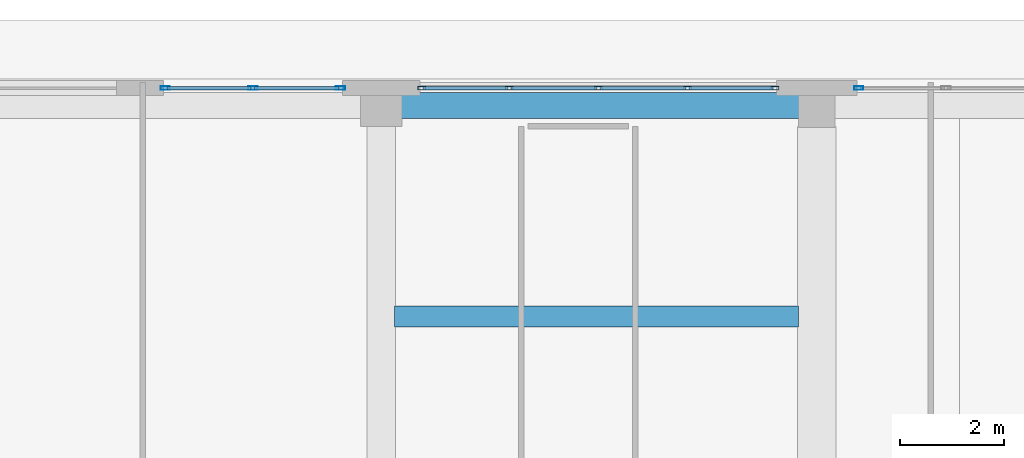
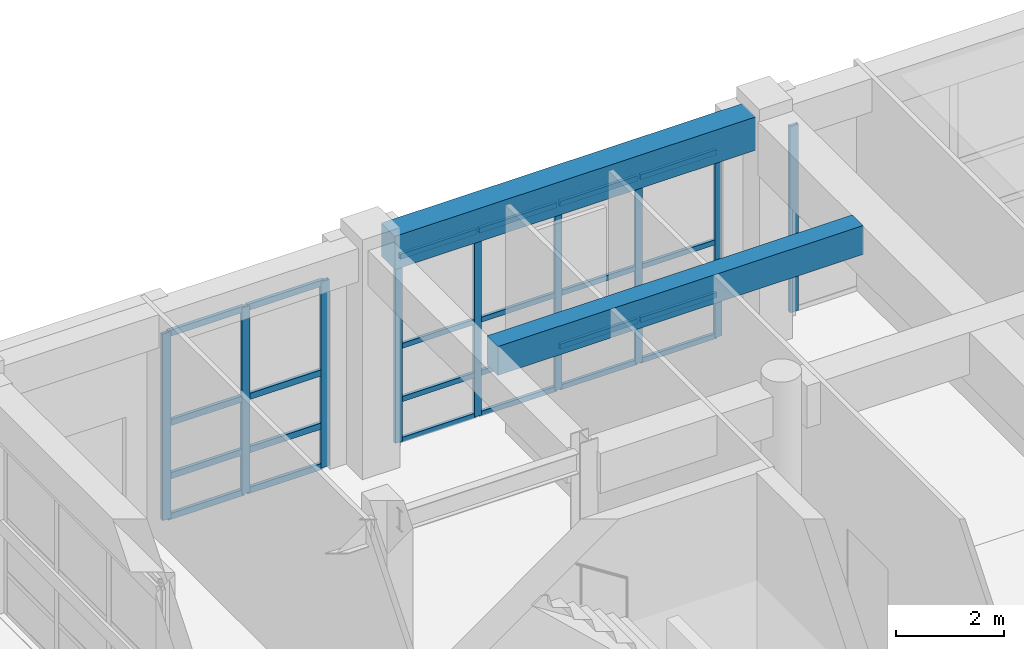
# One storey, part 93 of 148: 33 members, 2 beams, 3 elements without a shape of their own.
"""IFC4 building model written with IfcOpenShell, lengths in metres."""

from ifc_helpers import new_model, si_unit, direction, frame, origin, origin_2d, place, context, subcontext, project, spatial, rectangle, hollow_rectangle, extrude, material, layer, layer_set, material_profile, profile_set, type_object, element, aggregate, save


model = new_model("IFC4")

# Units and contexts
model_context = context("Model", 3, precision=1e-05, world=origin(), true_north=direction((0.0, 1.0)))
body_context = subcontext(model_context, "Body", "Model", "MODEL_VIEW")
ifc_project = project(units=[si_unit("LENGTHUNIT", "METRE"), si_unit("AREAUNIT", "SQUARE_METRE"), si_unit("VOLUMEUNIT", "CUBIC_METRE"), si_unit("PLANEANGLEUNIT", "RADIAN"), si_unit("MASSUNIT", "GRAM", prefix="KILO")], contexts=[model_context])

# Site, building, storey
site_placement = place(None, origin())
site = spatial("IfcSite", under=ifc_project, at=site_placement, CompositionType="ELEMENT")
building_placement = place(site_placement, origin())
building = spatial("IfcBuilding", under=site, at=building_placement, Name="Quendrovan Civic Courthouse", CompositionType="ELEMENT")
storey_placement = place(building_placement, origin())
storey = spatial("IfcBuildingStorey", under=building, at=storey_placement, Name="L01", CompositionType="ELEMENT", Elevation=0.0)

# Beams
ifc_material_1 = material(Name="Concrete C40/50", Category="concrete")
ifc_material_profile_1 = material_profile(ifc_material_1, rectangle(XDim=0.39990234375, YDim=0.64990234375, at=origin_2d()), Name="RC-BM-400x650")
ifc_profile_set_1 = profile_set([ifc_material_profile_1], Name="Concrete C40/50")
beam_type_1 = type_object("IfcBeamType", Name="BM-RC650", PredefinedType="JOIST", material=ifc_profile_set_1)
beam_1_placement = place(storey_placement, frame((117.85498046875, 105.83056640625, 4.794921875), z_axis=(1.0, 0.0, 0.0), x_axis=(0.0, 1.0, 0.0)))
element("IfcBeam", 1, at=beam_1_placement, inside=storey, type_object=beam_type_1, Name="L01 Secondary Joist 0479", PredefinedType="JOIST", context=body_context, shape_type="SweptSolid", body=[
    extrude(rectangle(XDim=0.39990234375, YDim=0.64990234375, at=origin_2d()), origin(), (0.0, 0.0, 1.0), 7.7900390625),
])
ifc_material_profile_2 = material_profile(ifc_material_1, rectangle(XDim=0.5, YDim=0.75, at=origin_2d()), Name="RC-BM-500x750")
ifc_profile_set_2 = profile_set([ifc_material_profile_2], Name="Concrete C40/50")
beam_type_2 = type_object("IfcBeamType", Name="BM-RC750", PredefinedType="SPANDREL", material=ifc_profile_set_2)
beam_2_placement = place(storey_placement, frame((117.97998046875, 109.89990234375, 4.7451171875), z_axis=(1.0, 0.0, 0.0), x_axis=(0.0, 1.0, 0.0)))
element("IfcBeam", 2, at=beam_2_placement, inside=storey, type_object=beam_type_2, Name="L01 Girder X0365", PredefinedType="SPANDREL", context=body_context, shape_type="SweptSolid", body=[
    extrude(rectangle(XDim=0.5, YDim=0.75, at=origin_2d()), origin(), (0.0, 0.0, 1.0), 7.68994140625),
])

# Curtain wall, members
ifc_material_2 = material(Name="Bronze anodised aluminium and low-E glass", Category="aluminium")
ifc_layer_1 = layer(ifc_material_2, 0.179931640625, Name="Bronze anodised aluminium and low-E glass")
ifc_layer_set_1 = layer_set([ifc_layer_1], Name="Bronze anodised aluminium and low-E glass")
curtain_wall_type_1 = type_object("IfcCurtainWallType", Name="CW-U34x42", PredefinedType="USERDEFINED", material=ifc_layer_set_1)
curtain_wall_1_placement = place(storey_placement, origin())
curtain_wall_1 = element("IfcCurtainWall", 3, at=curtain_wall_1_placement, inside=storey, type_object=curtain_wall_type_1, Name="L01 Unitised Hurricane Curtain Wall CW-036", ObjectType="UNITISED CURTAIN WALL", PredefinedType="USERDEFINED")
ifc_material_3 = material(Name="Bronze anodised aluminium", Category="aluminium")
ifc_material_profile_3 = material_profile(ifc_material_3, hollow_rectangle(XDim=0.070068359375, YDim=0.179931640625, WallThickness=0.00390625, at=origin_2d()), Name="CW-MULL-70x180")
ifc_profile_set_3 = profile_set([ifc_material_profile_3], Name="Bronze anodised aluminium")
member_type_1 = type_object("IfcMemberType", Name="CW-MULL-A", PredefinedType="MULLION", material=ifc_profile_set_3)
member_1_placement = place(storey_placement, frame((113.43505859375, 110.235107421875, 0.0), z_axis=(0.0, 0.0, 1.0), x_axis=(0.0, 1.0, 0.0)))
member_1 = element("IfcMember", 4, at=member_1_placement, type_object=member_type_1, Name="CW-036 mullion 1", PredefinedType="MULLION", context=body_context, shape_type="SweptSolid", body=[
    extrude(hollow_rectangle(XDim=0.070068359375, YDim=0.179931640625, WallThickness=0.00390625, at=origin_2d()), origin(), (0.0, 0.0, 1.0), 4.199951171875),
])
member_2_placement = place(storey_placement, frame((115.125, 110.235107421875, 0.0), z_axis=(0.0, 0.0, 1.0), x_axis=(0.0, 1.0, 0.0)))
member_2 = element("IfcMember", 5, at=member_2_placement, type_object=member_type_1, Name="CW-036 mullion 2", PredefinedType="MULLION", context=body_context, shape_type="SweptSolid", body=[
    extrude(hollow_rectangle(XDim=0.070068359375, YDim=0.179931640625, WallThickness=0.00390625, at=origin_2d()), origin(), (0.0, 0.0, 1.0), 4.199951171875),
])
member_3_placement = place(storey_placement, frame((116.81494140625, 110.235107421875, 0.0), z_axis=(0.0, 0.0, 1.0), x_axis=(0.0, 1.0, 0.0)))
member_3 = element("IfcMember", 6, at=member_3_placement, type_object=member_type_1, Name="CW-036 mullion 3", PredefinedType="MULLION", context=body_context, shape_type="SweptSolid", body=[
    extrude(hollow_rectangle(XDim=0.070068359375, YDim=0.179931640625, WallThickness=0.00390625, at=origin_2d()), origin(), (0.0, 0.0, 1.0), 4.199951171875),
])

# Curtain wall, member
ifc_layer_2 = layer(ifc_material_2, 0.179931640625, Name="Bronze anodised aluminium and low-E glass")
ifc_layer_set_2 = layer_set([ifc_layer_2], Name="Bronze anodised aluminium and low-E glass")
curtain_wall_type_2 = type_object("IfcCurtainWallType", Name="CW-U69x42", PredefinedType="USERDEFINED", material=ifc_layer_set_2)
curtain_wall_2_placement = place(storey_placement, origin())
curtain_wall_2 = element("IfcCurtainWall", 7, at=curtain_wall_2_placement, inside=storey, type_object=curtain_wall_type_2, Name="L01 Unitised Hurricane Curtain Wall CW-038", ObjectType="UNITISED CURTAIN WALL", PredefinedType="USERDEFINED")
member_4_placement = place(storey_placement, frame((126.81005859375, 110.235107421875, 0.0), z_axis=(0.0, 0.0, 1.0), x_axis=(0.0, 1.0, 0.0)))
member_4 = element("IfcMember", 8, at=member_4_placement, type_object=member_type_1, Name="CW-038 mullion 1", PredefinedType="MULLION", context=body_context, shape_type="SweptSolid", body=[
    extrude(hollow_rectangle(XDim=0.070068359375, YDim=0.179931640625, WallThickness=0.00390625, at=origin_2d()), origin(), (0.0, 0.0, 1.0), 4.199951171875),
])
aggregate(curtain_wall_2, [member_4])

# Curtain wall, members
curtain_wall_3_placement = place(storey_placement, origin())
curtain_wall_3 = element("IfcCurtainWall", 9, at=curtain_wall_3_placement, inside=storey, type_object=curtain_wall_type_2, Name="L01 Unitised Hurricane Curtain Wall CW-037", ObjectType="UNITISED CURTAIN WALL", PredefinedType="USERDEFINED")
ifc_material_profile_4 = material_profile(ifc_material_3, hollow_rectangle(XDim=0.06494140625, YDim=0.14990234375, WallThickness=0.00390625, at=origin_2d()), Name="CW-MULL-65x150")
ifc_profile_set_4 = profile_set([ifc_material_profile_4], Name="Bronze anodised aluminium")
member_type_2 = type_object("IfcMemberType", Name="CW-MULL-B", PredefinedType="MULLION", material=ifc_profile_set_4)
member_5_placement = place(storey_placement, frame((118.382568359375, 110.235107421875, 0.0), z_axis=(0.0, 0.0, 1.0), x_axis=(0.0, 1.0, 0.0)))
member_5 = element("IfcMember", 10, at=member_5_placement, type_object=member_type_2, Name="CW-037 mullion 1", PredefinedType="MULLION", context=body_context, shape_type="SweptSolid", body=[
    extrude(hollow_rectangle(XDim=0.06494140625, YDim=0.14990234375, WallThickness=0.00390625, at=origin_2d()), origin(), (0.0, 0.0, 1.0), 4.199951171875),
])
member_6_placement = place(storey_placement, frame((120.06884765625, 110.235107421875, 0.0), z_axis=(0.0, 0.0, 1.0), x_axis=(0.0, 1.0, 0.0)))
member_6 = element("IfcMember", 11, at=member_6_placement, type_object=member_type_2, Name="CW-037 mullion 2", PredefinedType="MULLION", context=body_context, shape_type="SweptSolid", body=[
    extrude(hollow_rectangle(XDim=0.06494140625, YDim=0.14990234375, WallThickness=0.00390625, at=origin_2d()), origin(), (0.0, 0.0, 1.0), 4.199951171875),
])
member_7_placement = place(storey_placement, frame((121.78759765625, 110.235107421875, 0.0), z_axis=(0.0, 0.0, 1.0), x_axis=(0.0, 1.0, 0.0)))
member_7 = element("IfcMember", 12, at=member_7_placement, type_object=member_type_2, Name="CW-037 mullion 3", PredefinedType="MULLION", context=body_context, shape_type="SweptSolid", body=[
    extrude(hollow_rectangle(XDim=0.06494140625, YDim=0.14990234375, WallThickness=0.00390625, at=origin_2d()), origin(), (0.0, 0.0, 1.0), 4.199951171875),
])
member_8_placement = place(storey_placement, frame((123.50634765625, 110.235107421875, 0.0), z_axis=(0.0, 0.0, 1.0), x_axis=(0.0, 1.0, 0.0)))
member_8 = element("IfcMember", 13, at=member_8_placement, type_object=member_type_2, Name="CW-037 mullion 4", PredefinedType="MULLION", context=body_context, shape_type="SweptSolid", body=[
    extrude(hollow_rectangle(XDim=0.06494140625, YDim=0.14990234375, WallThickness=0.00390625, at=origin_2d()), origin(), (0.0, 0.0, 1.0), 4.199951171875),
])
member_9_placement = place(storey_placement, frame((125.1923828125, 110.235107421875, 0.0), z_axis=(0.0, 0.0, 1.0), x_axis=(0.0, 1.0, 0.0)))
member_9 = element("IfcMember", 14, at=member_9_placement, type_object=member_type_2, Name="CW-037 mullion 5", PredefinedType="MULLION", context=body_context, shape_type="SweptSolid", body=[
    extrude(hollow_rectangle(XDim=0.06494140625, YDim=0.14990234375, WallThickness=0.00390625, at=origin_2d()), origin(), (0.0, 0.0, 1.0), 4.199951171875),
])

# Member
ifc_material_profile_5 = material_profile(ifc_material_3, hollow_rectangle(XDim=0.070068359375, YDim=0.139892578125, WallThickness=0.00390625, at=origin_2d()), Name="CW-TRAN-70x140")
ifc_profile_set_5 = profile_set([ifc_material_profile_5], Name="Bronze anodised aluminium")
member_type_3 = type_object("IfcMemberType", Name="CW-TRAN-A", PredefinedType="USERDEFINED", material=ifc_profile_set_5)
member_10_placement = place(storey_placement, frame((113.469970703125, 110.235107421875, 0.034912109375), z_axis=(1.0, 0.0, 0.0), x_axis=(0.0, 1.0, 0.0)))
member_10 = element("IfcMember", 15, at=member_10_placement, type_object=member_type_3, Name="CW-036 transom 1.1", ObjectType="TRANSOM", PredefinedType="USERDEFINED", context=body_context, shape_type="SweptSolid", body=[
    extrude(hollow_rectangle(XDim=0.070068359375, YDim=0.139892578125, WallThickness=0.00390625, at=origin_2d()), origin(), (0.0, 0.0, 1.0), 1.6201171875),
])

member_11_placement = place(storey_placement, frame((113.469970703125, 110.235107421875, 0.949951171875), z_axis=(1.0, 0.0, 0.0), x_axis=(0.0, 1.0, 0.0)))
member_11 = element("IfcMember", 16, at=member_11_placement, type_object=member_type_3, Name="CW-036 transom 1.2", ObjectType="TRANSOM", PredefinedType="USERDEFINED", context=body_context, shape_type="SweptSolid", body=[
    extrude(hollow_rectangle(XDim=0.070068359375, YDim=0.139892578125, WallThickness=0.00390625, at=origin_2d()), origin(), (0.0, 0.0, 1.0), 1.6201171875),
])

member_12_placement = place(storey_placement, frame((113.469970703125, 110.235107421875, 2.14990234375), z_axis=(1.0, 0.0, 0.0), x_axis=(0.0, 1.0, 0.0)))
member_12 = element("IfcMember", 17, at=member_12_placement, type_object=member_type_3, Name="CW-036 transom 1.3", ObjectType="TRANSOM", PredefinedType="USERDEFINED", context=body_context, shape_type="SweptSolid", body=[
    extrude(hollow_rectangle(XDim=0.070068359375, YDim=0.139892578125, WallThickness=0.00390625, at=origin_2d()), origin(), (0.0, 0.0, 1.0), 1.6201171875),
])

member_13_placement = place(storey_placement, frame((113.469970703125, 110.235107421875, 4.1650390625), z_axis=(1.0, 0.0, 0.0), x_axis=(0.0, 1.0, 0.0)))
member_13 = element("IfcMember", 18, at=member_13_placement, type_object=member_type_3, Name="CW-036 transom 1.4", ObjectType="TRANSOM", PredefinedType="USERDEFINED", context=body_context, shape_type="SweptSolid", body=[
    extrude(hollow_rectangle(XDim=0.070068359375, YDim=0.139892578125, WallThickness=0.00390625, at=origin_2d()), origin(), (0.0, 0.0, 1.0), 1.6201171875),
])

member_14_placement = place(storey_placement, frame((115.159912109375, 110.235107421875, 0.034912109375), z_axis=(1.0, 0.0, 0.0), x_axis=(0.0, 1.0, 0.0)))
member_14 = element("IfcMember", 19, at=member_14_placement, type_object=member_type_3, Name="CW-036 transom 2.1", ObjectType="TRANSOM", PredefinedType="USERDEFINED", context=body_context, shape_type="SweptSolid", body=[
    extrude(hollow_rectangle(XDim=0.070068359375, YDim=0.139892578125, WallThickness=0.00390625, at=origin_2d()), origin(), (0.0, 0.0, 1.0), 1.6201171875),
])

member_15_placement = place(storey_placement, frame((115.159912109375, 110.235107421875, 0.949951171875), z_axis=(1.0, 0.0, 0.0), x_axis=(0.0, 1.0, 0.0)))
member_15 = element("IfcMember", 20, at=member_15_placement, type_object=member_type_3, Name="CW-036 transom 2.2", ObjectType="TRANSOM", PredefinedType="USERDEFINED", context=body_context, shape_type="SweptSolid", body=[
    extrude(hollow_rectangle(XDim=0.070068359375, YDim=0.139892578125, WallThickness=0.00390625, at=origin_2d()), origin(), (0.0, 0.0, 1.0), 1.6201171875),
])

member_16_placement = place(storey_placement, frame((115.159912109375, 110.235107421875, 2.14990234375), z_axis=(1.0, 0.0, 0.0), x_axis=(0.0, 1.0, 0.0)))
member_16 = element("IfcMember", 21, at=member_16_placement, type_object=member_type_3, Name="CW-036 transom 2.3", ObjectType="TRANSOM", PredefinedType="USERDEFINED", context=body_context, shape_type="SweptSolid", body=[
    extrude(hollow_rectangle(XDim=0.070068359375, YDim=0.139892578125, WallThickness=0.00390625, at=origin_2d()), origin(), (0.0, 0.0, 1.0), 1.6201171875),
])

member_17_placement = place(storey_placement, frame((115.159912109375, 110.235107421875, 4.1650390625), z_axis=(1.0, 0.0, 0.0), x_axis=(0.0, 1.0, 0.0)))
member_17 = element("IfcMember", 22, at=member_17_placement, type_object=member_type_3, Name="CW-036 transom 2.4", ObjectType="TRANSOM", PredefinedType="USERDEFINED", context=body_context, shape_type="SweptSolid", body=[
    extrude(hollow_rectangle(XDim=0.070068359375, YDim=0.139892578125, WallThickness=0.00390625, at=origin_2d()), origin(), (0.0, 0.0, 1.0), 1.6201171875),
])

aggregate(curtain_wall_1, [member_1, member_2, member_3, member_10, member_11, member_12, member_13, member_14, member_15, member_16, member_17])

ifc_material_profile_6 = material_profile(ifc_material_3, hollow_rectangle(XDim=0.06494140625, YDim=0.114990234375, WallThickness=0.00390625, at=origin_2d()), Name="CW-TRAN-65x115")
ifc_profile_set_6 = profile_set([ifc_material_profile_6], Name="Bronze anodised aluminium")
member_type_4 = type_object("IfcMemberType", Name="CW-TRAN-B", PredefinedType="USERDEFINED", material=ifc_profile_set_6)
member_18_placement = place(storey_placement, frame((118.4150390625, 110.235107421875, 0.032470703125), z_axis=(1.0, 0.0, 0.0), x_axis=(0.0, 1.0, 0.0)))
member_18 = element("IfcMember", 23, at=member_18_placement, type_object=member_type_4, Name="CW-037 transom 1.1", ObjectType="TRANSOM", PredefinedType="USERDEFINED", context=body_context, shape_type="SweptSolid", body=[
    extrude(hollow_rectangle(XDim=0.06494140625, YDim=0.114990234375, WallThickness=0.00390625, at=origin_2d()), origin(), (0.0, 0.0, 1.0), 1.62109375),
])

member_19_placement = place(storey_placement, frame((118.4150390625, 110.235107421875, 0.949951171875), z_axis=(1.0, 0.0, 0.0), x_axis=(0.0, 1.0, 0.0)))
member_19 = element("IfcMember", 24, at=member_19_placement, type_object=member_type_4, Name="CW-037 transom 1.2", ObjectType="TRANSOM", PredefinedType="USERDEFINED", context=body_context, shape_type="SweptSolid", body=[
    extrude(hollow_rectangle(XDim=0.06494140625, YDim=0.114990234375, WallThickness=0.00390625, at=origin_2d()), origin(), (0.0, 0.0, 1.0), 1.62109375),
])

member_20_placement = place(storey_placement, frame((118.4150390625, 110.235107421875, 2.14990234375), z_axis=(1.0, 0.0, 0.0), x_axis=(0.0, 1.0, 0.0)))
member_20 = element("IfcMember", 25, at=member_20_placement, type_object=member_type_4, Name="CW-037 transom 1.3", ObjectType="TRANSOM", PredefinedType="USERDEFINED", context=body_context, shape_type="SweptSolid", body=[
    extrude(hollow_rectangle(XDim=0.06494140625, YDim=0.114990234375, WallThickness=0.00390625, at=origin_2d()), origin(), (0.0, 0.0, 1.0), 1.62109375),
])

member_21_placement = place(storey_placement, frame((118.4150390625, 110.235107421875, 4.16748046875), z_axis=(1.0, 0.0, 0.0), x_axis=(0.0, 1.0, 0.0)))
member_21 = element("IfcMember", 26, at=member_21_placement, type_object=member_type_4, Name="CW-037 transom 1.4", ObjectType="TRANSOM", PredefinedType="USERDEFINED", context=body_context, shape_type="SweptSolid", body=[
    extrude(hollow_rectangle(XDim=0.06494140625, YDim=0.114990234375, WallThickness=0.00390625, at=origin_2d()), origin(), (0.0, 0.0, 1.0), 1.62109375),
])

member_22_placement = place(storey_placement, frame((120.101318359375, 110.235107421875, 0.032470703125), z_axis=(1.0, 0.0, 0.0), x_axis=(0.0, 1.0, 0.0)))
member_22 = element("IfcMember", 27, at=member_22_placement, type_object=member_type_4, Name="CW-037 transom 2.1", ObjectType="TRANSOM", PredefinedType="USERDEFINED", context=body_context, shape_type="SweptSolid", body=[
    extrude(hollow_rectangle(XDim=0.06494140625, YDim=0.114990234375, WallThickness=0.00390625, at=origin_2d()), origin(), (0.0, 0.0, 1.0), 1.653564453125),
])

member_23_placement = place(storey_placement, frame((120.101318359375, 110.235107421875, 0.949951171875), z_axis=(1.0, 0.0, 0.0), x_axis=(0.0, 1.0, 0.0)))
member_23 = element("IfcMember", 28, at=member_23_placement, type_object=member_type_4, Name="CW-037 transom 2.2", ObjectType="TRANSOM", PredefinedType="USERDEFINED", context=body_context, shape_type="SweptSolid", body=[
    extrude(hollow_rectangle(XDim=0.06494140625, YDim=0.114990234375, WallThickness=0.00390625, at=origin_2d()), origin(), (0.0, 0.0, 1.0), 1.653564453125),
])

member_24_placement = place(storey_placement, frame((120.101318359375, 110.235107421875, 2.14990234375), z_axis=(1.0, 0.0, 0.0), x_axis=(0.0, 1.0, 0.0)))
member_24 = element("IfcMember", 29, at=member_24_placement, type_object=member_type_4, Name="CW-037 transom 2.3", ObjectType="TRANSOM", PredefinedType="USERDEFINED", context=body_context, shape_type="SweptSolid", body=[
    extrude(hollow_rectangle(XDim=0.06494140625, YDim=0.114990234375, WallThickness=0.00390625, at=origin_2d()), origin(), (0.0, 0.0, 1.0), 1.653564453125),
])

member_25_placement = place(storey_placement, frame((120.101318359375, 110.235107421875, 4.16748046875), z_axis=(1.0, 0.0, 0.0), x_axis=(0.0, 1.0, 0.0)))
member_25 = element("IfcMember", 30, at=member_25_placement, type_object=member_type_4, Name="CW-037 transom 2.4", ObjectType="TRANSOM", PredefinedType="USERDEFINED", context=body_context, shape_type="SweptSolid", body=[
    extrude(hollow_rectangle(XDim=0.06494140625, YDim=0.114990234375, WallThickness=0.00390625, at=origin_2d()), origin(), (0.0, 0.0, 1.0), 1.653564453125),
])

member_26_placement = place(storey_placement, frame((121.820068359375, 110.235107421875, 0.032470703125), z_axis=(1.0, 0.0, 0.0), x_axis=(0.0, 1.0, 0.0)))
member_26 = element("IfcMember", 31, at=member_26_placement, type_object=member_type_4, Name="CW-037 transom 3.1", ObjectType="TRANSOM", PredefinedType="USERDEFINED", context=body_context, shape_type="SweptSolid", body=[
    extrude(hollow_rectangle(XDim=0.06494140625, YDim=0.114990234375, WallThickness=0.00390625, at=origin_2d()), origin(), (0.0, 0.0, 1.0), 1.653564453125),
])

member_27_placement = place(storey_placement, frame((121.820068359375, 110.235107421875, 0.949951171875), z_axis=(1.0, 0.0, 0.0), x_axis=(0.0, 1.0, 0.0)))
member_27 = element("IfcMember", 32, at=member_27_placement, type_object=member_type_4, Name="CW-037 transom 3.2", ObjectType="TRANSOM", PredefinedType="USERDEFINED", context=body_context, shape_type="SweptSolid", body=[
    extrude(hollow_rectangle(XDim=0.06494140625, YDim=0.114990234375, WallThickness=0.00390625, at=origin_2d()), origin(), (0.0, 0.0, 1.0), 1.653564453125),
])

member_28_placement = place(storey_placement, frame((121.820068359375, 110.235107421875, 2.14990234375), z_axis=(1.0, 0.0, 0.0), x_axis=(0.0, 1.0, 0.0)))
member_28 = element("IfcMember", 33, at=member_28_placement, type_object=member_type_4, Name="CW-037 transom 3.3", ObjectType="TRANSOM", PredefinedType="USERDEFINED", context=body_context, shape_type="SweptSolid", body=[
    extrude(hollow_rectangle(XDim=0.06494140625, YDim=0.114990234375, WallThickness=0.00390625, at=origin_2d()), origin(), (0.0, 0.0, 1.0), 1.653564453125),
])

member_29_placement = place(storey_placement, frame((121.820068359375, 110.235107421875, 4.16748046875), z_axis=(1.0, 0.0, 0.0), x_axis=(0.0, 1.0, 0.0)))
member_29 = element("IfcMember", 34, at=member_29_placement, type_object=member_type_4, Name="CW-037 transom 3.4", ObjectType="TRANSOM", PredefinedType="USERDEFINED", context=body_context, shape_type="SweptSolid", body=[
    extrude(hollow_rectangle(XDim=0.06494140625, YDim=0.114990234375, WallThickness=0.00390625, at=origin_2d()), origin(), (0.0, 0.0, 1.0), 1.653564453125),
])

member_30_placement = place(storey_placement, frame((123.538818359375, 110.235107421875, 0.032470703125), z_axis=(1.0, 0.0, 0.0), x_axis=(0.0, 1.0, 0.0)))
member_30 = element("IfcMember", 35, at=member_30_placement, type_object=member_type_4, Name="CW-037 transom 4.1", ObjectType="TRANSOM", PredefinedType="USERDEFINED", context=body_context, shape_type="SweptSolid", body=[
    extrude(hollow_rectangle(XDim=0.06494140625, YDim=0.114990234375, WallThickness=0.00390625, at=origin_2d()), origin(), (0.0, 0.0, 1.0), 1.62109375),
])

member_31_placement = place(storey_placement, frame((123.538818359375, 110.235107421875, 0.949951171875), z_axis=(1.0, 0.0, 0.0), x_axis=(0.0, 1.0, 0.0)))
member_31 = element("IfcMember", 36, at=member_31_placement, type_object=member_type_4, Name="CW-037 transom 4.2", ObjectType="TRANSOM", PredefinedType="USERDEFINED", context=body_context, shape_type="SweptSolid", body=[
    extrude(hollow_rectangle(XDim=0.06494140625, YDim=0.114990234375, WallThickness=0.00390625, at=origin_2d()), origin(), (0.0, 0.0, 1.0), 1.62109375),
])

member_32_placement = place(storey_placement, frame((123.538818359375, 110.235107421875, 2.14990234375), z_axis=(1.0, 0.0, 0.0), x_axis=(0.0, 1.0, 0.0)))
member_32 = element("IfcMember", 37, at=member_32_placement, type_object=member_type_4, Name="CW-037 transom 4.3", ObjectType="TRANSOM", PredefinedType="USERDEFINED", context=body_context, shape_type="SweptSolid", body=[
    extrude(hollow_rectangle(XDim=0.06494140625, YDim=0.114990234375, WallThickness=0.00390625, at=origin_2d()), origin(), (0.0, 0.0, 1.0), 1.62109375),
])

member_33_placement = place(storey_placement, frame((123.538818359375, 110.235107421875, 4.16748046875), z_axis=(1.0, 0.0, 0.0), x_axis=(0.0, 1.0, 0.0)))
member_33 = element("IfcMember", 38, at=member_33_placement, type_object=member_type_4, Name="CW-037 transom 4.4", ObjectType="TRANSOM", PredefinedType="USERDEFINED", context=body_context, shape_type="SweptSolid", body=[
    extrude(hollow_rectangle(XDim=0.06494140625, YDim=0.114990234375, WallThickness=0.00390625, at=origin_2d()), origin(), (0.0, 0.0, 1.0), 1.62109375),
])

aggregate(curtain_wall_3, [member_5, member_6, member_7, member_8, member_9, member_18, member_19, member_20, member_21, member_22, member_23, member_24, member_25, member_26, member_27, member_28, member_29, member_30, member_31, member_32, member_33])

save(model, "model.ifc")
